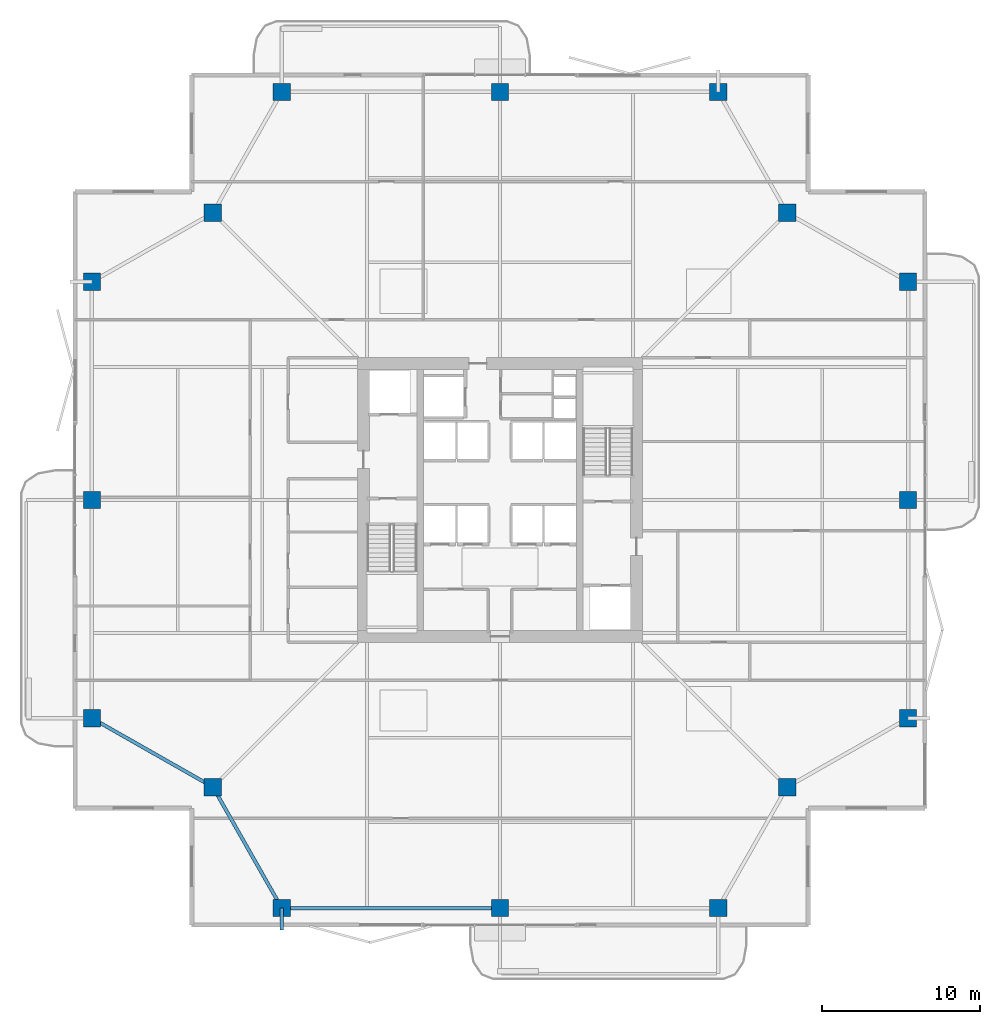
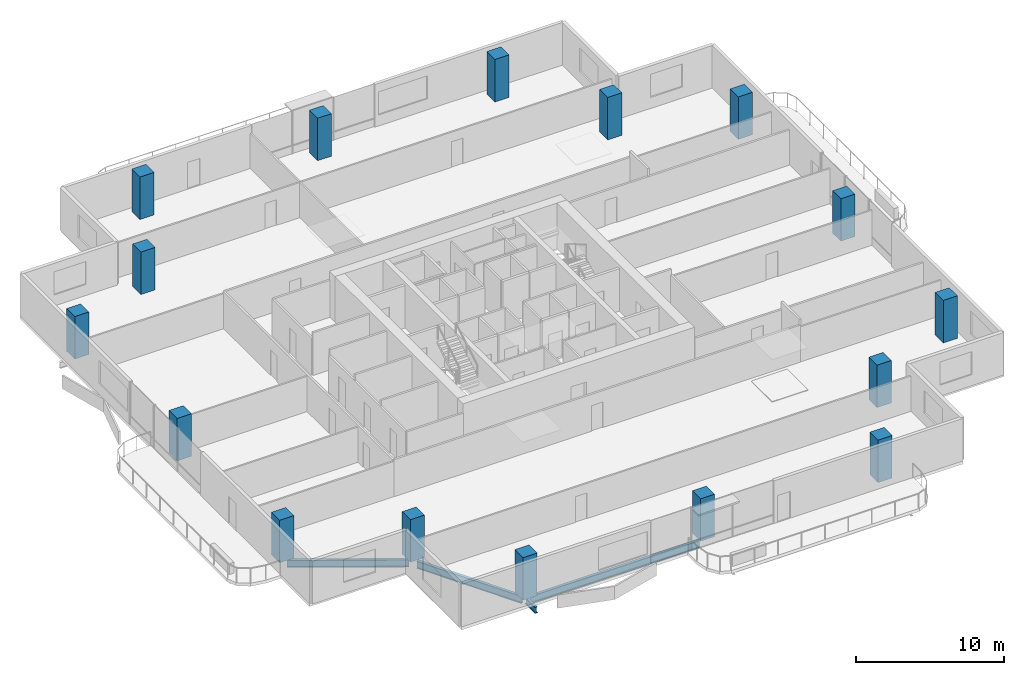
# One storey, part 1 of 24: 16 columns, 4 beams.
"""IFC4 building model written with IfcOpenShell, lengths in metres."""

from ifc_helpers import new_model, si_unit, direction, frame, origin, origin_2d, place, context, subcontext, project, spatial, rectangle, i_section, extrude, material, material_profile, profile_set, type_object, element, save


model = new_model("IFC4")

# Units and contexts
model_context = context("Model", 3, precision=1e-05, world=origin(), true_north=direction((0.0, 1.0)))
body_context = subcontext(model_context, "Body", "Model", "MODEL_VIEW")
ifc_project = project(units=[si_unit("LENGTHUNIT", "METRE"), si_unit("AREAUNIT", "SQUARE_METRE"), si_unit("VOLUMEUNIT", "CUBIC_METRE"), si_unit("PLANEANGLEUNIT", "RADIAN"), si_unit("MASSUNIT", "GRAM", prefix="KILO")], contexts=[model_context])

# Site, building, storey
site_placement = place(None, origin())
site = spatial("IfcSite", under=ifc_project, at=site_placement, CompositionType="ELEMENT")
building_placement = place(site_placement, origin())
building = spatial("IfcBuilding", under=site, at=building_placement, Name="Belovzor Exchange Tower", CompositionType="ELEMENT")
storey_placement = place(building_placement, frame((0.0, 0.0, 222.449951171875)))
storey = spatial("IfcBuildingStorey", under=building, at=storey_placement, Name="L55", CompositionType="ELEMENT", Elevation=222.449951171875)

# Columns
ifc_material_1 = material(Name="Concrete C50/60", Category="concrete")
ifc_material_profile_1 = material_profile(ifc_material_1, rectangle(XDim=1.10009765625, YDim=1.10009765625, at=origin_2d()))
ifc_profile_set_1 = profile_set([ifc_material_profile_1], Name="Concrete C50/60")
column_type = type_object("IfcColumnType", Name="Reinforced Concrete Tower Column 1100x1100", PredefinedType="COLUMN", material=ifc_profile_set_1)
for number, where, z_axis, x_axis, name in (
    (1, (15.0, 3.0, 0.0029296875), (0.0, 0.0, 1.0), (1.0, 0.0, 0.0), "COL-T110 Reinforced Concrete Tower Column 1100x1100"),
    (2, (28.800048828125, 3.0, 0.0029296875), (0.0, 0.0, 1.0), (1.0, 0.0, 0.0), "COL-T110 Reinforced Concrete Tower Column 1100x1100"),
    (3, (42.60009765625, 3.0, 0.0029296875), (0.0, 0.0, 1.0), (1.0, 0.0, 0.0), "COL-T110 Reinforced Concrete Tower Column 1100x1100"),
    (4, (54.60009765625, 15.0, 0.0029296875), (0.0, 0.0, 1.0), (1.0, 0.0, 0.0), "COL-T110 Reinforced Concrete Tower Column 1100x1100"),
    (5, (54.60009765625, 28.800048828125, 0.0029296875), (0.0, 0.0, 1.0), (1.0, 0.0, 0.0), "COL-T110 Reinforced Concrete Tower Column 1100x1100"),
    (6, (54.60009765625, 42.60009765625, 0.0029296875), (0.0, 0.0, 1.0), (1.0, 0.0, 0.0), "COL-T110 Reinforced Concrete Tower Column 1100x1100"),
    (7, (42.60009765625, 54.60009765625, 0.0029296875), (0.0, 0.0, 1.0), (1.0, 0.0, 0.0), "COL-T110 Reinforced Concrete Tower Column 1100x1100"),
    (8, (28.800048828125, 54.60009765625, 0.0029296875), (0.0, 0.0, 1.0), (1.0, 0.0, 0.0), "COL-T110 Reinforced Concrete Tower Column 1100x1100"),
    (9, (15.0, 54.60009765625, 0.0029296875), (0.0, 0.0, 1.0), (1.0, 0.0, 0.0), "COL-T110 Reinforced Concrete Tower Column 1100x1100"),
    (10, (3.0, 42.60009765625, 0.0029296875), (0.0, 0.0, 1.0), (1.0, 0.0, 0.0), "COL-T110 Reinforced Concrete Tower Column 1100x1100"),
    (11, (3.0, 28.800048828125, 0.0029296875), (0.0, 0.0, 1.0), (1.0, 0.0, 0.0), "COL-T110 Reinforced Concrete Tower Column 1100x1100"),
    (12, (3.0, 15.0, 0.0029296875), (0.0, 0.0, 1.0), (1.0, 0.0, 0.0), "COL-T110 Reinforced Concrete Tower Column 1100x1100"),
    (13, (10.64990234375, 10.64990234375, 0.0029296875), (0.0, 0.0, 1.0), (1.0, 0.0, 0.0), "COL-T110 Reinforced Concrete Tower Column 1100x1100"),
    (14, (46.949951171875, 10.64990234375, 0.0029296875), (0.0, 0.0, 1.0), (1.0, 0.0, 0.0), "COL-T110 Reinforced Concrete Tower Column 1100x1100"),
    (15, (46.949951171875, 46.949951171875, 0.0029296875), (0.0, 0.0, 1.0), (1.0, 0.0, 0.0), "COL-T110 Reinforced Concrete Tower Column 1100x1100"),
    (16, (10.64990234375, 46.949951171875, 0.0029296875), (0.0, 0.0, 1.0), (1.0, 0.0, 0.0), "COL-T110 Reinforced Concrete Tower Column 1100x1100"),
):
    element("IfcColumn", number, at=place(storey_placement, frame(where, z_axis=z_axis, x_axis=x_axis)), inside=storey, type_object=column_type, Name=name, PredefinedType="COLUMN", context=body_context, shape_type="SweptSolid", body=[
        extrude(rectangle(XDim=1.10009765625, YDim=1.10009765625, at=origin_2d()), origin(), (0.0, 0.0, 1.0), 3.494140625),
    ])

# Beams
ifc_material_2 = material(Name="Steel S355", Category="steel")
ifc_material_profile_2 = material_profile(ifc_material_2, i_section(OverallWidth=0.199951171875, OverallDepth=0.5, WebThickness=0.01025390625, FlangeThickness=0.01611328125, at=origin_2d()))
ifc_profile_set_2 = profile_set([ifc_material_profile_2], Name="Steel S355")
beam_type_1 = type_object("IfcBeamType", Name="Planted Balcony Cantilever Beam IPE 500", PredefinedType="BEAM", material=ifc_profile_set_2)
beam_1_placement = place(storey_placement, frame((15.0, 3.0, -0.5), z_axis=(0.0, -1.0, 0.0), x_axis=(1.0, 0.0, 0.0)))
element("IfcBeam", 17, at=beam_1_placement, inside=storey, type_object=beam_type_1, Name="BC-500 Planted Balcony Cantilever Beam IPE 500", PredefinedType="BEAM", context=body_context, shape_type="SweptSolid", body=[
    extrude(i_section(OverallWidth=0.199951171875, OverallDepth=0.5, WebThickness=0.01025390625, FlangeThickness=0.01611328125, at=origin_2d()), origin(), (0.0, 0.0, 1.0), 1.39990234375),
])
ifc_material_3 = material(Name="Steel S355", Category="steel")
ifc_material_profile_3 = material_profile(ifc_material_3, i_section(OverallWidth=0.219970703125, OverallDepth=0.60009765625, WebThickness=0.011962890625, FlangeThickness=0.01904296875, at=origin_2d()))
ifc_profile_set_3 = profile_set([ifc_material_profile_3], Name="Steel S355")
beam_type_2 = type_object("IfcBeamType", Name="Zone 4 Flare Primary Girder IPE 600", PredefinedType="BEAM", material=ifc_profile_set_3)
beam_2_placement = place(storey_placement, frame((10.800048828125, 10.386962890625, -0.550048828125), z_axis=(0.494222323641, -0.869335547884, 0.0), x_axis=(0.869335547884, 0.494222323641, 0.0)))
element("IfcBeam", 18, at=beam_2_placement, inside=storey, type_object=beam_type_2, Name="FG-Z4 Zone 4 Flare Primary Girder IPE 600", PredefinedType="BEAM", context=body_context, shape_type="SweptSolid", body=[
    extrude(i_section(OverallWidth=0.219970703125, OverallDepth=0.60009765625, WebThickness=0.011962890625, FlangeThickness=0.01904296875, at=origin_2d()), origin(), (0.0, 0.0, 1.0), 8.19482421875),
])
beam_3_placement = place(storey_placement, frame((15.302978515625, 3.0, -0.550048828125), z_axis=(1.0, 0.0, 0.0), x_axis=(0.0, 1.0, 0.0)))
element("IfcBeam", 19, at=beam_3_placement, inside=storey, type_object=beam_type_2, Name="FG-Z4 Zone 4 Flare Primary Girder IPE 600", PredefinedType="BEAM", context=body_context, shape_type="SweptSolid", body=[
    extrude(i_section(OverallWidth=0.219970703125, OverallDepth=0.60009765625, WebThickness=0.011962890625, FlangeThickness=0.01904296875, at=origin_2d()), origin(), (0.0, 0.0, 1.0), 13.195068359375),
])
beam_4_placement = place(storey_placement, frame((3.262939453125, 14.85009765625, -0.550048828125), z_axis=(0.869335547884, -0.494222323641, 0.0), x_axis=(0.494222323641, 0.869335547884, 0.0)))
element("IfcBeam", 20, at=beam_4_placement, inside=storey, type_object=beam_type_2, Name="FG-Z4 Zone 4 Flare Primary Girder IPE 600", PredefinedType="BEAM", context=body_context, shape_type="SweptSolid", body=[
    extrude(i_section(OverallWidth=0.219970703125, OverallDepth=0.60009765625, WebThickness=0.011962890625, FlangeThickness=0.01904296875, at=origin_2d()), origin(), (0.0, 0.0, 1.0), 8.19482421875),
])

save(model, "model.ifc")
